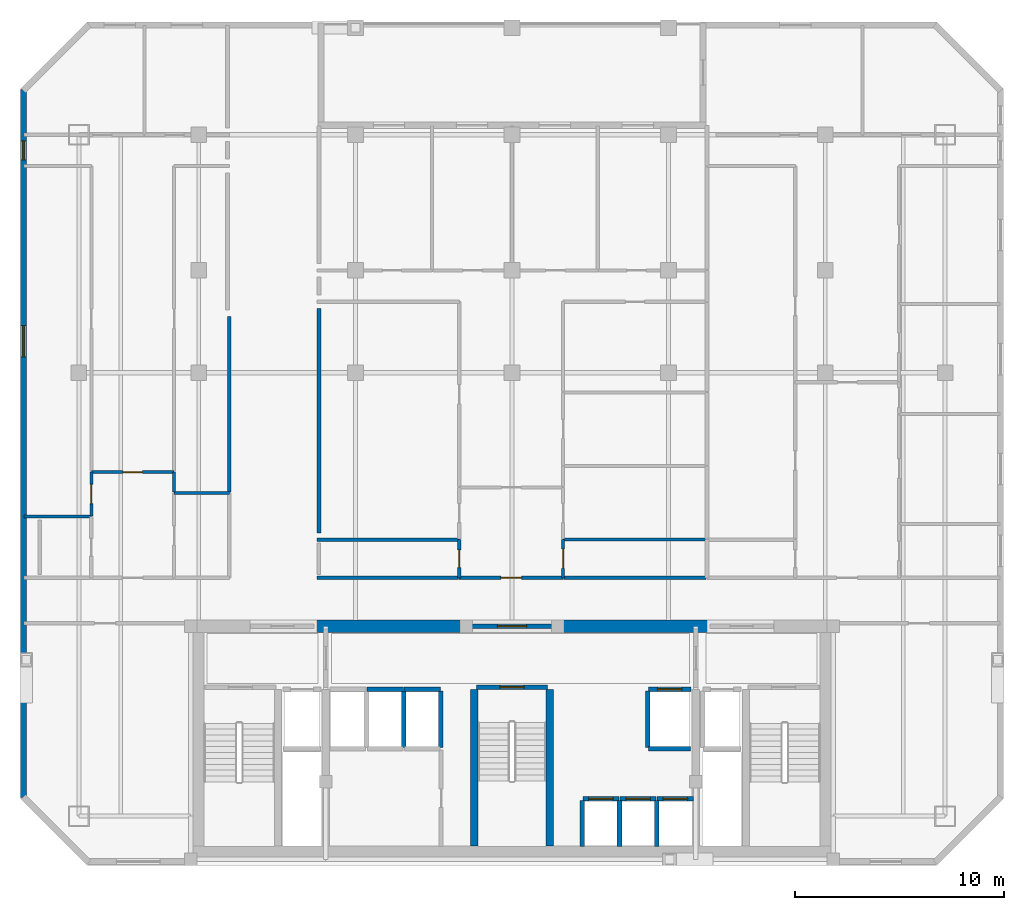
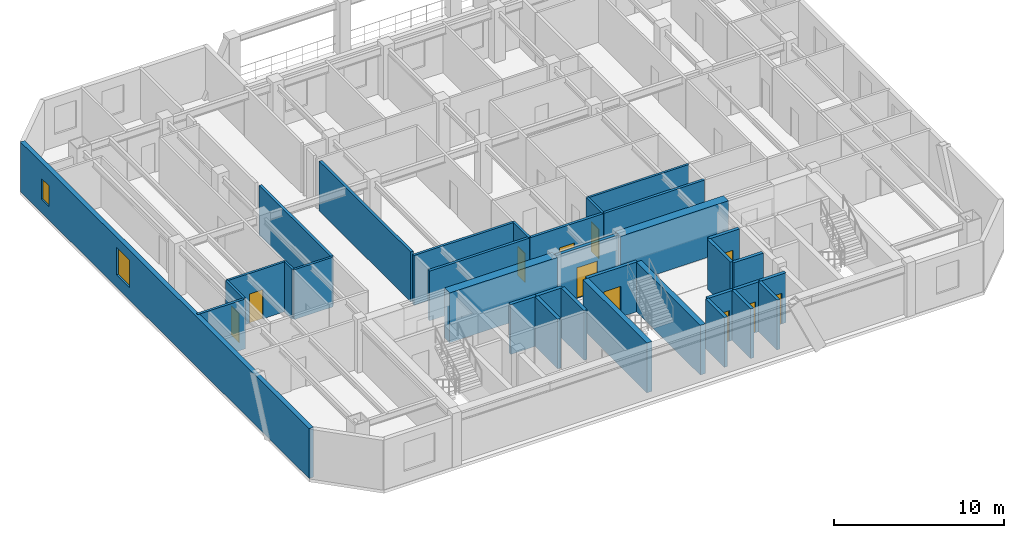
# One storey, part 3 of 8: 34 walls, 11 doors, 2 windows, 13 openings.
"""IFC4 building model written with IfcOpenShell, lengths in metres."""

from ifc_helpers import new_model, si_unit, direction, frame, frame_2d, origin, place, context, subcontext, project, spatial, rectangle, extrude, material, layer, layer_set, type_object, element, fill, save


model = new_model("IFC4")

# Units and contexts
model_context = context("Model", 3, precision=1e-05, world=origin(), true_north=direction((0.0, 1.0)))
body_context = subcontext(model_context, "Body", "Model", "MODEL_VIEW")
ifc_project = project(units=[si_unit("LENGTHUNIT", "METRE"), si_unit("AREAUNIT", "SQUARE_METRE"), si_unit("VOLUMEUNIT", "CUBIC_METRE"), si_unit("PLANEANGLEUNIT", "RADIAN"), si_unit("MASSUNIT", "GRAM", prefix="KILO")], contexts=[model_context])

# Site, building, storey
site_placement = place(None, origin())
site = spatial("IfcSite", under=ifc_project, at=site_placement, CompositionType="ELEMENT")
building_placement = place(site_placement, origin())
building = spatial("IfcBuilding", under=site, at=building_placement, Name="Ventersveld Concourse Tower", CompositionType="ELEMENT")
storey_placement = place(building_placement, frame((0.0, 0.0, 200.300048828125)))
storey = spatial("IfcBuildingStorey", under=building, at=storey_placement, Name="L49", CompositionType="ELEMENT", Elevation=200.300048828125)

# Walls
ifc_material_1 = material(Name="Concrete C50/60", Category="concrete")
ifc_layer_1 = layer(ifc_material_1, 0.35009765625)
ifc_layer_set_1 = layer_set([ifc_layer_1], Name="Concrete C50/60")
wall_type_1 = type_object("IfcWallType", Name="WL-CORE-350U", PredefinedType="SHEAR", material=ifc_layer_set_1)
for number, where, z_axis, x_axis, name in (
    (1, (26.93994140625, 0.919921875, 0.0), (0.0, 0.0, 1.0), (0.0, 1.0, 0.0), "L49 Core Internal Shear Web W-ST3-W"),
    (2, (30.56005859375, 0.919921875, 0.0), (0.0, 0.0, 1.0), (0.0, 1.0, 0.0), "L49 Core Internal Shear Web W-ST3-E"),
):
    element("IfcWall", number, at=place(storey_placement, frame(where, z_axis=z_axis, x_axis=x_axis)), inside=storey, type_object=wall_type_1, Name=name, PredefinedType="SHEAR", context=body_context, shape_type="SweptSolid", body=[
        extrude(rectangle(XDim=7.5, YDim=0.35009765625, at=frame_2d((3.75, 0.0))), origin(), (0.0, 0.0, 1.0), 3.570068359375),
    ])
ifc_layer_2 = layer(ifc_material_1, 0.60009765625)
ifc_layer_set_2 = layer_set([ifc_layer_2], Name="Concrete C50/60")
wall_type_2 = type_object("IfcWallType", Name="WL-CORE-600", PredefinedType="SHEAR", material=ifc_layer_set_2)
for number, where, z_axis, x_axis, name in (
    (3, (19.300048828125, 11.449951171875, 0.0), (0.0, 0.0, 1.0), (1.0, 0.0, 0.0), "L49 Rear Core North Shear Wall NML"),
    (4, (30.89990234375, 11.449951171875, 0.0), (0.0, 0.0, 1.0), (1.0, 0.0, 0.0), "L49 Rear Core North Shear Wall NMR"),
):
    element("IfcWall", number, at=place(storey_placement, frame(where, z_axis=z_axis, x_axis=x_axis)), inside=storey, type_object=wall_type_2, Name=name, PredefinedType="SHEAR", context=body_context, shape_type="SweptSolid", body=[
        extrude(rectangle(XDim=7.300048828125, YDim=0.60009765625, at=frame_2d((3.64990234375, 0.0))), origin(), (0.0, 0.0, 1.0), 3.570068359375),
    ])
ifc_material_2 = material(Name="Fire-rated autoclaved aerated masonry blockwork", Category="masonry")
ifc_layer_3 = layer(ifc_material_2, 0.179931640625)
ifc_layer_set_3 = layer_set([ifc_layer_3], Name="Fire-rated autoclaved aerated masonry blockwork")
wall_type_3 = type_object("IfcWallType", Name="WL-CORR-180", PredefinedType="PARTITIONING", material=ifc_layer_set_3)
wall_1_placement = place(storey_placement, frame((15.2099609375, 17.875732421875, 0.0), z_axis=(0.0, 0.0, 1.0), x_axis=(0.0, 1.0, 0.0)))
element("IfcWall", 5, at=wall_1_placement, inside=storey, type_object=wall_type_3, Name="L49 Interior Partition SP-L49-COR-SP-L49-49NW-DENR", PredefinedType="PARTITIONING", context=body_context, shape_type="SweptSolid", body=[
    extrude(rectangle(XDim=8.419189453125, YDim=0.179931640625, at=frame_2d((4.20947265625, 0.0))), origin(), (0.0, 0.0, 1.0), 3.570068359375),
])

# Wall, opening, door
wall_2_placement = place(storey_placement, frame((26.216552734375, 13.77001953125, 0.0), z_axis=(0.0, 0.0, 1.0), x_axis=(1.0, 0.0, 0.0)))
wall_2 = element("IfcWall", 6, at=wall_2_placement, inside=storey, type_object=wall_type_3, Name="L49 Interior Partition SP-L49-COR-SP-L49-49CM-FOY", PredefinedType="PARTITIONING", context=body_context, shape_type="SweptSolid", body=[
    extrude(rectangle(XDim=4.989990234375, YDim=0.179931640625, at=frame_2d((2.4951171875, 0.0))), origin(), (0.0, 0.0, 1.0), 3.570068359375),
])
opening_1_placement = place(wall_2_placement, frame((1.9951171875, 0.0, 0.0)))
opening_1 = element("IfcOpeningElement", 7, at=opening_1_placement, cuts=wall_2, Name="Opening FD3", PredefinedType="OPENING", context=body_context, shape_type="SweptSolid", body=[
    extrude(rectangle(XDim=1.0, YDim=2.14990234375, at=frame_2d((0.5, 1.074951171875))), frame((0.0, 0.10009765625, 0.0), z_axis=(0.0, -1.0, 0.0), x_axis=(1.0, 0.0, 0.0)), (0.0, 0.0, 1.0), 0.199951171875),
])
ifc_material_3 = material(Name="Solid-core hardwood veneer timber", Category="wood")
door_type_1 = type_object("IfcDoorType", Name="DR-FLAT-100", OperationType="NOTDEFINED", PredefinedType="DOOR", material=ifc_material_3)
door_1_placement = place(opening_1_placement, origin())
door_1 = element("IfcDoor", 8, at=door_1_placement, inside=storey, type_object=door_type_1, Name="L49 Interior Door SP-L49-COR to SP-L49-49CM-FOY (FD-L49-2394)", OperationType="SINGLE_SWING_RIGHT", OverallHeight=2.14990234375, OverallWidth=1.0, PredefinedType="DOOR", context=body_context, shape_type="SweptSolid", body=[
    extrude(rectangle(XDim=1.0, YDim=2.14990234375, at=frame_2d((0.5, 1.074951171875))), frame((0.0, 0.02490234375, 0.0), z_axis=(0.0, -1.0, 0.0), x_axis=(1.0, 0.0, 0.0)), (0.0, 0.0, 1.0), 0.050048828125),
])
fill(opening_1, door_1)

# Walls
wall_3_placement = place(storey_placement, frame((19.405029296875, 13.77001953125, 0.0), z_axis=(0.0, 0.0, 1.0), x_axis=(1.0, 0.0, 0.0)))
element("IfcWall", 9, at=wall_3_placement, inside=storey, type_object=wall_type_3, Name="L49 Interior Partition SP-L49-COR-SP-L49-49CM-BATH", PredefinedType="PARTITIONING", context=body_context, shape_type="SweptSolid", body=[
    extrude(rectangle(XDim=6.781494140625, YDim=0.179931640625, at=frame_2d((3.390625, 0.0))), origin(), (0.0, 0.0, 1.0), 3.570068359375),
])
wall_4_placement = place(storey_placement, frame((31.236572265625, 13.77001953125, 0.0), z_axis=(0.0, 0.0, 1.0), x_axis=(1.0, 0.0, 0.0)))
element("IfcWall", 10, at=wall_4_placement, inside=storey, type_object=wall_type_3, Name="L49 Interior Partition SP-L49-COR-SP-L49-49CM-KIT", PredefinedType="PARTITIONING", context=body_context, shape_type="SweptSolid", body=[
    extrude(rectangle(XDim=6.818359375, YDim=0.179931640625, at=frame_2d((3.4091796875, 0.0))), origin(), (0.0, 0.0, 1.0), 3.570068359375),
])
wall_5_placement = place(storey_placement, frame((19.5, 15.925048828125, 0.0), z_axis=(0.0, 0.0, 1.0), x_axis=(0.0, 1.0, 0.0)))
element("IfcWall", 11, at=wall_5_placement, inside=storey, type_object=wall_type_3, Name="L49 Room Enclosure Wall SP-L49-49CM-DENL", PredefinedType="PARTITIONING", context=body_context, shape_type="SweptSolid", body=[
    extrude(rectangle(XDim=10.75, YDim=0.179931640625, at=frame_2d((5.375, 0.0))), origin(), (0.0, 0.0, 1.0), 3.570068359375),
])
ifc_layer_4 = layer(ifc_material_2, 0.219970703125)
ifc_layer_set_4 = layer_set([ifc_layer_4], Name="Fire-rated autoclaved aerated masonry blockwork")
wall_type_4 = type_object("IfcWallType", Name="WL-HOIST-220", PredefinedType="SOLIDWALL", material=ifc_layer_set_4)
wall_6_placement = place(storey_placement, frame((35.300048828125, 5.590087890625, 0.0), z_axis=(0.0, 0.0, 1.0), x_axis=(1.0, 0.0, 0.0)))
element("IfcWall", 12, at=wall_6_placement, inside=storey, type_object=wall_type_4, Name="L49 Lift Hoistway Back Wall SVL-01", PredefinedType="SOLIDWALL", context=body_context, shape_type="SweptSolid", body=[
    extrude(rectangle(XDim=2.0, YDim=0.219970703125, at=frame_2d((1.0, 0.0))), origin(), (0.0, 0.0, 1.0), 3.570068359375),
])
wall_7_placement = place(storey_placement, frame((35.260009765625, 5.64990234375, 0.0), z_axis=(0.0, 0.0, 1.0), x_axis=(0.0, 1.0, 0.0)))
element("IfcWall", 13, at=wall_7_placement, inside=storey, type_object=wall_type_4, Name="L49 Lift Hoistway Side Wall SVL-01W", PredefinedType="SOLIDWALL", context=body_context, shape_type="SweptSolid", body=[
    extrude(rectangle(XDim=2.7001953125, YDim=0.219970703125, at=frame_2d((1.35009765625, 0.0))), origin(), (0.0, 0.0, 1.0), 3.570068359375),
])

# Wall, opening, door
wall_8_placement = place(storey_placement, frame((35.280029296875, 8.429931640625, 0.0), z_axis=(0.0, 0.0, 1.0), x_axis=(1.0, 0.0, 0.0)))
wall_8 = element("IfcWall", 14, at=wall_8_placement, inside=storey, type_object=wall_type_4, Name="L49 Lift Hoistway Front Wall SVL-01", PredefinedType="SOLIDWALL", context=body_context, shape_type="SweptSolid", body=[
    extrude(rectangle(XDim=2.0400390625, YDim=0.219970703125, at=frame_2d((1.02001953125, 0.0))), origin(), (0.0, 0.0, 1.0), 3.570068359375),
])
opening_2_placement = place(wall_8_placement, frame((0.429931640625, 0.0, 0.0)))
opening_2 = element("IfcOpeningElement", 15, at=opening_2_placement, cuts=wall_8, Name="Opening LD2", PredefinedType="OPENING", context=body_context, shape_type="SweptSolid", body=[
    extrude(rectangle(XDim=1.179931640625, YDim=2.199951171875, at=frame_2d((0.58984375, 1.10009765625))), frame((0.0, 0.1201171875, 0.0), z_axis=(0.0, -1.0, 0.0), x_axis=(1.0, 0.0, 0.0)), (0.0, 0.0, 1.0), 0.239990234375),
])
ifc_material_4 = material(Name="Brushed stainless steel 316", Category="steel")
door_type_2 = type_object("IfcDoorType", Name="LD-PAX-118", OperationType="SLIDING_TO_LEFT", PredefinedType="DOOR", material=ifc_material_4)
door_2_placement = place(opening_2_placement, origin())
door_2 = element("IfcDoor", 16, at=door_2_placement, inside=storey, type_object=door_type_2, Name="L49 Lift landing door SVL-01 (LD-L49-SVL-01)", OperationType="SLIDING_TO_LEFT", OverallHeight=2.199951171875, OverallWidth=1.179931640625, PredefinedType="DOOR", context=body_context, shape_type="SweptSolid", body=[
    extrude(rectangle(XDim=1.179931640625, YDim=2.199951171875, at=frame_2d((0.58984375, 1.10009765625))), frame((0.0, 0.02490234375, 0.0), z_axis=(0.0, -1.0, 0.0), x_axis=(1.0, 0.0, 0.0)), (0.0, 0.0, 1.0), 0.050048828125),
])
fill(opening_2, door_2)

# Walls
for number, where, z_axis, x_axis, name in (
    (17, (32.1201171875, 0.89990234375, 0.0), (0.0, 0.0, 1.0), (0.0, 1.0, 0.0), "L49 Lift Hoistway Side Wall PM-01W"),
    (18, (33.89990234375, 0.89990234375, 0.0), (0.0, 0.0, 1.0), (0.0, 1.0, 0.0), "L49 Lift Hoistway Side Wall PM-01E"),
):
    element("IfcWall", number, at=place(storey_placement, frame(where, z_axis=z_axis, x_axis=x_axis)), inside=storey, type_object=wall_type_4, Name=name, PredefinedType="SOLIDWALL", context=body_context, shape_type="SweptSolid", body=[
        extrude(rectangle(XDim=2.2001953125, YDim=0.219970703125, at=frame_2d((1.10009765625, 0.0))), origin(), (0.0, 0.0, 1.0), 3.570068359375),
    ])

# Wall, opening, door
wall_9_placement = place(storey_placement, frame((32.139892578125, 3.179931640625, 0.0), z_axis=(0.0, 0.0, 1.0), x_axis=(1.0, 0.0, 0.0)))
wall_9 = element("IfcWall", 19, at=wall_9_placement, inside=storey, type_object=wall_type_4, Name="L49 Lift Hoistway Front Wall PM-01", PredefinedType="SOLIDWALL", context=body_context, shape_type="SweptSolid", body=[
    extrude(rectangle(XDim=1.739990234375, YDim=0.219970703125, at=frame_2d((0.8701171875, 0.0))), origin(), (0.0, 0.0, 1.0), 3.570068359375),
])
opening_3_placement = place(wall_9_placement, frame((0.280029296875, 0.0, 0.0)))
opening_3 = element("IfcOpeningElement", 20, at=opening_3_placement, cuts=wall_9, Name="Opening LD2", PredefinedType="OPENING", context=body_context, shape_type="SweptSolid", body=[
    extrude(rectangle(XDim=1.179931640625, YDim=2.199951171875, at=frame_2d((0.58984375, 1.10009765625))), frame((0.0, 0.1201171875, 0.0), z_axis=(0.0, -1.0, 0.0), x_axis=(1.0, 0.0, 0.0)), (0.0, 0.0, 1.0), 0.239990234375),
])
door_3_placement = place(opening_3_placement, origin())
door_3 = element("IfcDoor", 21, at=door_3_placement, inside=storey, type_object=door_type_2, Name="L49 Lift landing door PM-01 (LD-L49-PM-01)", OperationType="SLIDING_TO_RIGHT", OverallHeight=2.199951171875, OverallWidth=1.179931640625, PredefinedType="DOOR", context=body_context, shape_type="SweptSolid", body=[
    extrude(rectangle(XDim=1.179931640625, YDim=2.199951171875, at=frame_2d((0.58984375, 1.10009765625))), frame((0.0, 0.02490234375, 0.0), z_axis=(0.0, -1.0, 0.0), x_axis=(1.0, 0.0, 0.0)), (0.0, 0.0, 1.0), 0.050048828125),
])
fill(opening_3, door_3)

# Wall
wall_10_placement = place(storey_placement, frame((35.679931640625, 0.89990234375, 0.0), z_axis=(0.0, 0.0, 1.0), x_axis=(0.0, 1.0, 0.0)))
element("IfcWall", 22, at=wall_10_placement, inside=storey, type_object=wall_type_4, Name="L49 Lift Hoistway Side Wall PM-02E", PredefinedType="SOLIDWALL", context=body_context, shape_type="SweptSolid", body=[
    extrude(rectangle(XDim=2.2001953125, YDim=0.219970703125, at=frame_2d((1.10009765625, 0.0))), origin(), (0.0, 0.0, 1.0), 3.570068359375),
])

# Wall, opening, door
wall_11_placement = place(storey_placement, frame((33.919921875, 3.179931640625, 0.0), z_axis=(0.0, 0.0, 1.0), x_axis=(1.0, 0.0, 0.0)))
wall_11 = element("IfcWall", 23, at=wall_11_placement, inside=storey, type_object=wall_type_4, Name="L49 Lift Hoistway Front Wall PM-02", PredefinedType="SOLIDWALL", context=body_context, shape_type="SweptSolid", body=[
    extrude(rectangle(XDim=1.739990234375, YDim=0.219970703125, at=frame_2d((0.8701171875, 0.0))), origin(), (0.0, 0.0, 1.0), 3.570068359375),
])
opening_4_placement = place(wall_11_placement, frame((0.280029296875, 0.0, 0.0)))
opening_4 = element("IfcOpeningElement", 24, at=opening_4_placement, cuts=wall_11, Name="Opening LD2", PredefinedType="OPENING", context=body_context, shape_type="SweptSolid", body=[
    extrude(rectangle(XDim=1.179931640625, YDim=2.199951171875, at=frame_2d((0.58984375, 1.10009765625))), frame((0.0, 0.1201171875, 0.0), z_axis=(0.0, -1.0, 0.0), x_axis=(1.0, 0.0, 0.0)), (0.0, 0.0, 1.0), 0.239990234375),
])
door_4_placement = place(opening_4_placement, origin())
door_4 = element("IfcDoor", 25, at=door_4_placement, inside=storey, type_object=door_type_2, Name="L49 Lift landing door PM-02 (LD-L49-PM-02)", OperationType="SLIDING_TO_LEFT", OverallHeight=2.199951171875, OverallWidth=1.179931640625, PredefinedType="DOOR", context=body_context, shape_type="SweptSolid", body=[
    extrude(rectangle(XDim=1.179931640625, YDim=2.199951171875, at=frame_2d((0.58984375, 1.10009765625))), frame((0.0, 0.02490234375, 0.0), z_axis=(0.0, -1.0, 0.0), x_axis=(1.0, 0.0, 0.0)), (0.0, 0.0, 1.0), 0.050048828125),
])
fill(opening_4, door_4)

wall_12_placement = place(storey_placement, frame((35.699951171875, 3.179931640625, 0.0), z_axis=(0.0, 0.0, 1.0), x_axis=(1.0, 0.0, 0.0)))
wall_12 = element("IfcWall", 26, at=wall_12_placement, inside=storey, type_object=wall_type_4, Name="L49 Lift Hoistway Front Wall PM-03", PredefinedType="SOLIDWALL", context=body_context, shape_type="SweptSolid", body=[
    extrude(rectangle(XDim=1.739990234375, YDim=0.219970703125, at=frame_2d((0.8701171875, 0.0))), origin(), (0.0, 0.0, 1.0), 3.570068359375),
])
opening_5_placement = place(wall_12_placement, frame((0.280029296875, 0.0, 0.0)))
opening_5 = element("IfcOpeningElement", 27, at=opening_5_placement, cuts=wall_12, Name="Opening LD2", PredefinedType="OPENING", context=body_context, shape_type="SweptSolid", body=[
    extrude(rectangle(XDim=1.179931640625, YDim=2.199951171875, at=frame_2d((0.58984375, 1.10009765625))), frame((0.0, 0.1201171875, 0.0), z_axis=(0.0, -1.0, 0.0), x_axis=(1.0, 0.0, 0.0)), (0.0, 0.0, 1.0), 0.239990234375),
])
door_5_placement = place(opening_5_placement, origin())
door_5 = element("IfcDoor", 28, at=door_5_placement, inside=storey, type_object=door_type_2, Name="L49 Lift landing door PM-03 (LD-L49-PM-03)", OperationType="SLIDING_TO_RIGHT", OverallHeight=2.199951171875, OverallWidth=1.179931640625, PredefinedType="DOOR", context=body_context, shape_type="SweptSolid", body=[
    extrude(rectangle(XDim=1.179931640625, YDim=2.199951171875, at=frame_2d((0.58984375, 1.10009765625))), frame((0.0, 0.02490234375, 0.0), z_axis=(0.0, -1.0, 0.0), x_axis=(1.0, 0.0, 0.0)), (0.0, 0.0, 1.0), 0.050048828125),
])
fill(opening_5, door_5)

# Walls
wall_13_placement = place(storey_placement, frame((23.56005859375, 5.64990234375, 0.0), z_axis=(0.0, 0.0, 1.0), x_axis=(0.0, 1.0, 0.0)))
element("IfcWall", 29, at=wall_13_placement, inside=storey, type_object=wall_type_4, Name="L49 Lift Hoistway Side Wall PH-02E", PredefinedType="SOLIDWALL", context=body_context, shape_type="SweptSolid", body=[
    extrude(rectangle(XDim=2.7001953125, YDim=0.219970703125, at=frame_2d((1.35009765625, 0.0))), origin(), (0.0, 0.0, 1.0), 3.570068359375),
])
wall_14_placement = place(storey_placement, frame((21.800048828125, 8.429931640625, 0.0), z_axis=(0.0, 0.0, 1.0), x_axis=(1.0, 0.0, 0.0)))
element("IfcWall", 30, at=wall_14_placement, inside=storey, type_object=wall_type_4, Name="L49 Lift Hoistway Front Wall PH-02", PredefinedType="SOLIDWALL", context=body_context, shape_type="SweptSolid", body=[
    extrude(rectangle(XDim=1.739990234375, YDim=0.219970703125, at=frame_2d((0.8701171875, 0.0))), origin(), (0.0, 0.0, 1.0), 3.570068359375),
])
wall_15_placement = place(storey_placement, frame((25.340087890625, 5.64990234375, 0.0), z_axis=(0.0, 0.0, 1.0), x_axis=(0.0, 1.0, 0.0)))
element("IfcWall", 31, at=wall_15_placement, inside=storey, type_object=wall_type_4, Name="L49 Lift Hoistway Side Wall PH-03E", PredefinedType="SOLIDWALL", context=body_context, shape_type="SweptSolid", body=[
    extrude(rectangle(XDim=2.7001953125, YDim=0.219970703125, at=frame_2d((1.35009765625, 0.0))), origin(), (0.0, 0.0, 1.0), 3.570068359375),
])
wall_16_placement = place(storey_placement, frame((23.580078125, 8.429931640625, 0.0), z_axis=(0.0, 0.0, 1.0), x_axis=(1.0, 0.0, 0.0)))
element("IfcWall", 32, at=wall_16_placement, inside=storey, type_object=wall_type_4, Name="L49 Lift Hoistway Front Wall PH-03", PredefinedType="SOLIDWALL", context=body_context, shape_type="SweptSolid", body=[
    extrude(rectangle(XDim=1.739990234375, YDim=0.219970703125, at=frame_2d((0.8701171875, 0.0))), origin(), (0.0, 0.0, 1.0), 3.570068359375),
])

# Wall, opening, door
wall_17_placement = place(storey_placement, frame((27.0400390625, 8.52001953125, 0.0), z_axis=(0.0, 0.0, 1.0), x_axis=(1.0, 0.0, 0.0)))
wall_17 = element("IfcWall", 33, at=wall_17_placement, inside=storey, type_object=wall_type_4, Name="L49 Escape Stair ST03 Fire Wall", PredefinedType="SOLIDWALL", context=body_context, shape_type="SweptSolid", body=[
    extrude(rectangle(XDim=3.419921875, YDim=0.219970703125, at=frame_2d((1.7099609375, 0.0))), origin(), (0.0, 0.0, 1.0), 3.570068359375),
])
opening_6_placement = place(wall_17_placement, frame((1.135009765625, 0.0, 0.0)))
opening_6 = element("IfcOpeningElement", 34, at=opening_6_placement, cuts=wall_17, Name="Opening FD1", PredefinedType="OPENING", context=body_context, shape_type="SweptSolid", body=[
    extrude(rectangle(XDim=1.14990234375, YDim=2.199951171875, at=frame_2d((0.574951171875, 1.10009765625))), frame((0.0, 0.1201171875, 0.0), z_axis=(0.0, -1.0, 0.0), x_axis=(1.0, 0.0, 0.0)), (0.0, 0.0, 1.0), 0.239990234375),
])
ifc_material_5 = material(Name="Galvanised painted steel", Category="steel")
door_type_3 = type_object("IfcDoorType", Name="DR-STAIR-115", OperationType="NOTDEFINED", PredefinedType="DOOR", material=ifc_material_5)
door_6_placement = place(opening_6_placement, origin())
door_6 = element("IfcDoor", 35, at=door_6_placement, inside=storey, type_object=door_type_3, Name="L49 Escape Stair Door ST03 (SD-L49-2383)", OperationType="SINGLE_SWING_LEFT", OverallHeight=2.199951171875, OverallWidth=1.14990234375, PredefinedType="DOOR", context=body_context, shape_type="SweptSolid", body=[
    extrude(rectangle(XDim=1.14990234375, YDim=2.199951171875, at=frame_2d((0.574951171875, 1.10009765625))), frame((0.0, 0.02490234375, 0.0), z_axis=(0.0, -1.0, 0.0), x_axis=(1.0, 0.0, 0.0)), (0.0, 0.0, 1.0), 0.050048828125),
])
fill(opening_6, door_6)

wall_18_placement = place(storey_placement, frame((26.6298828125, 11.449951171875, 0.0), z_axis=(0.0, 0.0, 1.0), x_axis=(1.0, 0.0, 0.0)))
wall_18 = element("IfcWall", 36, at=wall_18_placement, inside=storey, type_object=wall_type_4, Name="L49 Core North Fire Portal PLOB-OUT", PredefinedType="SOLIDWALL", context=body_context, shape_type="SweptSolid", body=[
    extrude(rectangle(XDim=4.240234375, YDim=0.219970703125, at=frame_2d((2.1201171875, 0.0))), origin(), (0.0, 0.0, 1.0), 3.570068359375),
])
opening_7_placement = place(wall_18_placement, frame((1.419921875, 0.0, 0.0)))
opening_7 = element("IfcOpeningElement", 37, at=opening_7_placement, cuts=wall_18, Name="Opening FD4", PredefinedType="OPENING", context=body_context, shape_type="SweptSolid", body=[
    extrude(rectangle(XDim=1.39990234375, YDim=2.199951171875, at=frame_2d((0.699951171875, 1.10009765625))), frame((0.0, 0.1201171875, 0.0), z_axis=(0.0, -1.0, 0.0), x_axis=(1.0, 0.0, 0.0)), (0.0, 0.0, 1.0), 0.239990234375),
])
door_type_4 = type_object("IfcDoorType", Name="DR-PLANT-140", OperationType="DOUBLE_DOOR_SINGLE_SWING", PredefinedType="DOOR", material=ifc_material_5)
door_7_placement = place(opening_7_placement, origin())
door_7 = element("IfcDoor", 38, at=door_7_placement, inside=storey, type_object=door_type_4, Name="L49 Core Lobby Fire Door PLOB-OUT (FD-L49-2387)", OperationType="DOUBLE_DOOR_SINGLE_SWING", OverallHeight=2.199951171875, OverallWidth=1.39990234375, PredefinedType="DOOR", context=body_context, shape_type="SweptSolid", body=[
    extrude(rectangle(XDim=1.39990234375, YDim=2.199951171875, at=frame_2d((0.699951171875, 1.10009765625))), frame((0.0, 0.02490234375, 0.0), z_axis=(0.0, -1.0, 0.0), x_axis=(1.0, 0.0, 0.0)), (0.0, 0.0, 1.0), 0.050048828125),
])
fill(opening_7, door_7)

ifc_material_6 = material(Name="Autoclaved aerated masonry blockwork", Category="masonry")
ifc_layer_5 = layer(ifc_material_6, 0.14990234375)
ifc_layer_set_5 = layer_set([ifc_layer_5], Name="Autoclaved aerated masonry blockwork")
wall_type_5 = type_object("IfcWallType", Name="WL-INT-150", PredefinedType="PARTITIONING", material=ifc_layer_set_5)
wall_19_placement = place(storey_placement, frame((8.59765625, 18.83349609375, 0.0), z_axis=(0.0, 0.0, 1.0), x_axis=(1.0, 0.0, 0.0)))
wall_19 = element("IfcWall", 39, at=wall_19_placement, inside=storey, type_object=wall_type_5, Name="L49 Interior Partition SP-L49-49NW-FOY-SP-L49-49NW-LIV", PredefinedType="PARTITIONING", context=body_context, shape_type="SweptSolid", body=[
    extrude(rectangle(XDim=3.969970703125, YDim=0.14990234375, at=frame_2d((1.98486328125, 0.0))), origin(), (0.0, 0.0, 1.0), 3.570068359375),
])
opening_8_placement = place(wall_19_placement, frame((1.52490234375, 0.0, 0.0)))
opening_8 = element("IfcOpeningElement", 40, at=opening_8_placement, cuts=wall_19, Name="Opening ID1", PredefinedType="OPENING", context=body_context, shape_type="SweptSolid", body=[
    extrude(rectangle(XDim=0.919921875, YDim=2.10009765625, at=frame_2d((0.4599609375, 1.050048828125))), frame((0.0, 0.0849609375, 0.0), z_axis=(0.0, -1.0, 0.0), x_axis=(1.0, 0.0, 0.0)), (0.0, 0.0, 1.0), 0.169921875),
])
door_type_5 = type_object("IfcDoorType", Name="DR-ROOM-092", OperationType="NOTDEFINED", PredefinedType="DOOR", material=ifc_material_3)
door_8_placement = place(opening_8_placement, origin())
door_8 = element("IfcDoor", 41, at=door_8_placement, inside=storey, type_object=door_type_5, Name="L49 Interior Door SP-L49-49NW-FOY to SP-L49-49NW-LIV (D-L49-2395)", OperationType="SINGLE_SWING_LEFT", OverallHeight=2.10009765625, OverallWidth=0.919921875, PredefinedType="DOOR", context=body_context, shape_type="SweptSolid", body=[
    extrude(rectangle(XDim=0.919921875, YDim=2.10009765625, at=frame_2d((0.4599609375, 1.050048828125))), frame((0.0, 0.02490234375, 0.0), z_axis=(0.0, -1.0, 0.0), x_axis=(1.0, 0.0, 0.0)), (0.0, 0.0, 1.0), 0.050048828125),
])
fill(opening_8, door_8)

wall_20_placement = place(storey_placement, frame((8.6025390625, 16.743408203125, 0.0), z_axis=(0.0, 0.0, 1.0), x_axis=(0.0, 1.0, 0.0)))
wall_20 = element("IfcWall", 42, at=wall_20_placement, inside=storey, type_object=wall_type_5, Name="L49 Interior Partition SP-L49-49NW-FOY-SP-L49-49NW-SEML0", PredefinedType="PARTITIONING", context=body_context, shape_type="SweptSolid", body=[
    extrude(rectangle(XDim=2.094970703125, YDim=0.14990234375, at=frame_2d((1.04736328125, 0.0))), origin(), (0.0, 0.0, 1.0), 3.570068359375),
])
opening_9_placement = place(wall_20_placement, frame((0.58740234375, 0.0, 0.0)))
opening_9 = element("IfcOpeningElement", 43, at=opening_9_placement, cuts=wall_20, Name="Opening ID1", PredefinedType="OPENING", context=body_context, shape_type="SweptSolid", body=[
    extrude(rectangle(XDim=0.919921875, YDim=2.10009765625, at=frame_2d((0.4599609375, 1.050048828125))), frame((0.0, 0.0849609375, 0.0), z_axis=(0.0, -1.0, 0.0), x_axis=(1.0, 0.0, 0.0)), (0.0, 0.0, 1.0), 0.169921875),
])
door_9_placement = place(opening_9_placement, origin())
door_9 = element("IfcDoor", 44, at=door_9_placement, inside=storey, type_object=door_type_5, Name="L49 Interior Door SP-L49-49NW-FOY to SP-L49-49NW-SEML0 (D-L49-2397)", OperationType="SINGLE_SWING_LEFT", OverallHeight=2.10009765625, OverallWidth=0.919921875, PredefinedType="DOOR", context=body_context, shape_type="SweptSolid", body=[
    extrude(rectangle(XDim=0.919921875, YDim=2.10009765625, at=frame_2d((0.4599609375, 1.050048828125))), frame((0.0, 0.02490234375, 0.0), z_axis=(0.0, -1.0, 0.0), x_axis=(1.0, 0.0, 0.0)), (0.0, 0.0, 1.0), 0.050048828125),
])
fill(opening_9, door_9)

# Walls
wall_21_placement = place(storey_placement, frame((12.5625, 17.875732421875, 0.0), z_axis=(0.0, 0.0, 1.0), x_axis=(0.0, 1.0, 0.0)))
element("IfcWall", 45, at=wall_21_placement, inside=storey, type_object=wall_type_5, Name="L49 Interior Partition SP-L49-49NW-FOY-SP-L49-49NW-DENR", PredefinedType="PARTITIONING", context=body_context, shape_type="SweptSolid", body=[
    extrude(rectangle(XDim=0.962646484375, YDim=0.14990234375, at=frame_2d((0.4814453125, 0.0))), origin(), (0.0, 0.0, 1.0), 3.570068359375),
])
wall_22_placement = place(storey_placement, frame((12.5576171875, 17.8408203125, 0.0), z_axis=(0.0, 0.0, 1.0), x_axis=(1.0, 0.0, 0.0)))
element("IfcWall", 46, at=wall_22_placement, inside=storey, type_object=wall_type_5, Name="L49 Interior Partition SP-L49-49NW-KIT-SP-L49-49NW-DENR", PredefinedType="PARTITIONING", context=body_context, shape_type="SweptSolid", body=[
    extrude(rectangle(XDim=2.657470703125, YDim=0.14990234375, at=frame_2d((1.32861328125, 0.0))), origin(), (0.0, 0.0, 1.0), 3.570068359375),
])

# Wall, opening, door
wall_23_placement = place(storey_placement, frame((31.201416015625, 13.764892578125, 0.0), z_axis=(0.0, 0.0, 1.0), x_axis=(0.0, 1.0, 0.0)))
wall_23 = element("IfcWall", 47, at=wall_23_placement, inside=storey, type_object=wall_type_5, Name="L49 Interior Partition SP-L49-49CM-FOY-SP-L49-49CM-KIT", PredefinedType="PARTITIONING", context=body_context, shape_type="SweptSolid", body=[
    extrude(rectangle(XDim=1.840087890625, YDim=0.14990234375, at=frame_2d((0.919921875, 0.0))), origin(), (0.0, 0.0, 1.0), 3.570068359375),
])
opening_10_placement = place(wall_23_placement, frame((0.4599609375, 0.0, 0.0)))
opening_10 = element("IfcOpeningElement", 48, at=opening_10_placement, cuts=wall_23, Name="Opening ID1", PredefinedType="OPENING", context=body_context, shape_type="SweptSolid", body=[
    extrude(rectangle(XDim=0.919921875, YDim=2.10009765625, at=frame_2d((0.4599609375, 1.050048828125))), frame((0.0, 0.0849609375, 0.0), z_axis=(0.0, -1.0, 0.0), x_axis=(1.0, 0.0, 0.0)), (0.0, 0.0, 1.0), 0.169921875),
])
door_10_placement = place(opening_10_placement, origin())
door_10 = element("IfcDoor", 49, at=door_10_placement, inside=storey, type_object=door_type_5, Name="L49 Interior Door SP-L49-49CM-FOY to SP-L49-49CM-KIT (D-L49-2417)", OperationType="SINGLE_SWING_LEFT", OverallHeight=2.10009765625, OverallWidth=0.919921875, PredefinedType="DOOR", context=body_context, shape_type="SweptSolid", body=[
    extrude(rectangle(XDim=0.919921875, YDim=2.10009765625, at=frame_2d((0.4599609375, 1.050048828125))), frame((0.0, 0.02490234375, 0.0), z_axis=(0.0, -1.0, 0.0), x_axis=(1.0, 0.0, 0.0)), (0.0, 0.0, 1.0), 0.050048828125),
])
fill(opening_10, door_10)

# Wall
wall_24_placement = place(storey_placement, frame((31.196533203125, 15.60009765625, 0.0), z_axis=(0.0, 0.0, 1.0), x_axis=(1.0, 0.0, 0.0)))
element("IfcWall", 50, at=wall_24_placement, inside=storey, type_object=wall_type_5, Name="L49 Interior Partition SP-L49-49CM-KIT-SP-L49-49CM-DENR", PredefinedType="PARTITIONING", context=body_context, shape_type="SweptSolid", body=[
    extrude(rectangle(XDim=6.8583984375, YDim=0.14990234375, at=frame_2d((3.42919921875, 0.0))), origin(), (0.0, 0.0, 1.0), 3.570068359375),
])

# Wall, openings, windows
ifc_material_7 = material(Name="Precast concrete C45/55", Category="concrete")
ifc_layer_6 = layer(ifc_material_7, 0.300048828125)
ifc_layer_set_6 = layer_set([ifc_layer_6], Name="Precast concrete C45/55")
wall_type_6 = type_object("IfcWallType", Name="WL-PREC-300", PredefinedType="SOLIDWALL", material=ifc_layer_set_6)
wall_25_placement = place(storey_placement, frame((5.35009765625, 37.159912109375, 0.0), z_axis=(0.0, 0.0, 1.0), x_axis=(0.0, -1.0, 0.0)))
wall_25 = element("IfcWall", 51, at=wall_25_placement, inside=storey, type_object=wall_type_6, Name="L49 Highveld Precast Facade Wall E11", PredefinedType="SOLIDWALL", context=body_context, shape_type="SweptSolid", body=[
    extrude(rectangle(XDim=33.919921875, YDim=0.300048828125, at=frame_2d((16.9599609375, 0.0))), origin(), (0.0, 0.0, 1.0), 3.570068359375),
])
opening_11_placement = place(wall_25_placement, frame((2.4599609375, 0.0, 0.949951171875)))
opening_11 = element("IfcOpeningElement", 52, at=opening_11_placement, cuts=wall_25, Name="Opening W4", PredefinedType="OPENING", context=body_context, shape_type="SweptSolid", body=[
    extrude(rectangle(XDim=0.89990234375, YDim=1.5, at=frame_2d((0.449951171875, 0.75))), frame((0.0, 0.16015625, 0.0), z_axis=(0.0, -1.0, 0.0), x_axis=(1.0, 0.0, 0.0)), (0.0, 0.0, 1.0), 0.320068359375),
])
opening_12_placement = place(wall_25_placement, frame((11.3056640625, 0.0, 0.89990234375)))
opening_12 = element("IfcOpeningElement", 53, at=opening_12_placement, cuts=wall_25, Name="Opening W1", PredefinedType="OPENING", context=body_context, shape_type="SweptSolid", body=[
    extrude(rectangle(XDim=1.5, YDim=1.949951171875, at=frame_2d((0.75, 0.97509765625))), frame((0.0, 0.16015625, 0.0), z_axis=(0.0, -1.0, 0.0), x_axis=(1.0, 0.0, 0.0)), (0.0, 0.0, 1.0), 0.320068359375),
])
ifc_material_8 = material(Name="Tempered acoustic Low-E IGU", Category="glass")
window_type_1 = type_object("IfcWindowType", Name="WIN-090x150", PartitioningType="SINGLE_PANEL", PredefinedType="WINDOW", material=ifc_material_8)
window_1_placement = place(opening_11_placement, origin())
window_1 = element("IfcWindow", 54, at=window_1_placement, inside=storey, type_object=window_type_1, Name="L49 Punched Low-E Window W-0688", OverallHeight=1.5, OverallWidth=0.89990234375, PartitioningType="SINGLE_PANEL", PredefinedType="WINDOW", context=body_context, shape_type="SweptSolid", body=[
    extrude(rectangle(XDim=0.89990234375, YDim=1.5, at=frame_2d((0.449951171875, 0.75))), frame((0.0, 0.030029296875, 0.0), z_axis=(0.0, -1.0, 0.0), x_axis=(1.0, 0.0, 0.0)), (0.0, 0.0, 1.0), 0.06005859375),
])
fill(opening_11, window_1)
window_type_2 = type_object("IfcWindowType", Name="WIN-150x210", PartitioningType="SINGLE_PANEL", PredefinedType="WINDOW", material=ifc_material_8)
window_2_placement = place(opening_12_placement, origin())
window_2 = element("IfcWindow", 55, at=window_2_placement, inside=storey, type_object=window_type_2, Name="L49 Punched Low-E Window W-0689", OverallHeight=1.949951171875, OverallWidth=1.5, PartitioningType="SINGLE_PANEL", PredefinedType="WINDOW", context=body_context, shape_type="SweptSolid", body=[
    extrude(rectangle(XDim=1.5, YDim=1.949951171875, at=frame_2d((0.75, 0.97509765625))), frame((0.0, 0.030029296875, 0.0), z_axis=(0.0, -1.0, 0.0), x_axis=(1.0, 0.0, 0.0)), (0.0, 0.0, 1.0), 0.06005859375),
])
fill(opening_12, window_2)

# Wall
ifc_layer_7 = layer(ifc_material_6, 0.1650390625)
ifc_layer_set_7 = layer_set([ifc_layer_7], Name="Autoclaved aerated masonry blockwork")
wall_type_7 = type_object("IfcWallType", Name="WL-WET-165", PredefinedType="PLUMBINGWALL", material=ifc_layer_set_7)
wall_26_placement = place(storey_placement, frame((5.37255859375, 16.70849609375, 0.0), z_axis=(0.0, 0.0, 1.0), x_axis=(1.0, 0.0, 0.0)))
element("IfcWall", 56, at=wall_26_placement, inside=storey, type_object=wall_type_7, Name="L49 Interior Partition SP-L49-49NW-BATH-SP-L49-49NW-SEML0", PredefinedType="PLUMBINGWALL", context=body_context, shape_type="SweptSolid", body=[
    extrude(rectangle(XDim=3.235107421875, YDim=0.1650390625, at=frame_2d((1.61767578125, 0.0))), origin(), (0.0, 0.0, 1.0), 3.570068359375),
])

# Wall, opening, door
wall_27_placement = place(storey_placement, frame((26.221435546875, 13.764892578125, 0.0), z_axis=(0.0, 0.0, 1.0), x_axis=(0.0, 1.0, 0.0)))
wall_27 = element("IfcWall", 57, at=wall_27_placement, inside=storey, type_object=wall_type_7, Name="L49 Interior Partition SP-L49-49CM-FOY-SP-L49-49CM-BATH", PredefinedType="PLUMBINGWALL", context=body_context, shape_type="SweptSolid", body=[
    extrude(rectangle(XDim=1.840087890625, YDim=0.1650390625, at=frame_2d((0.919921875, 0.0))), origin(), (0.0, 0.0, 1.0), 3.570068359375),
])
opening_13_placement = place(wall_27_placement, frame((0.4951171875, 0.0, 0.0)))
opening_13 = element("IfcOpeningElement", 58, at=opening_13_placement, cuts=wall_27, Name="Opening ID2", PredefinedType="OPENING", context=body_context, shape_type="SweptSolid", body=[
    extrude(rectangle(XDim=0.85009765625, YDim=2.10009765625, at=frame_2d((0.425048828125, 1.050048828125))), frame((0.0, 0.092529296875, 0.0), z_axis=(0.0, -1.0, 0.0), x_axis=(1.0, 0.0, 0.0)), (0.0, 0.0, 1.0), 0.18505859375),
])
door_type_6 = type_object("IfcDoorType", Name="DR-BATH-085", OperationType="NOTDEFINED", PredefinedType="DOOR", material=ifc_material_3)
door_11_placement = place(opening_13_placement, origin())
door_11 = element("IfcDoor", 59, at=door_11_placement, inside=storey, type_object=door_type_6, Name="L49 Interior Door SP-L49-49CM-FOY to SP-L49-49CM-BATH (D-L49-2415)", OperationType="SINGLE_SWING_LEFT", OverallHeight=2.10009765625, OverallWidth=0.85009765625, PredefinedType="DOOR", context=body_context, shape_type="SweptSolid", body=[
    extrude(rectangle(XDim=0.85009765625, YDim=2.10009765625, at=frame_2d((0.425048828125, 1.050048828125))), frame((0.0, 0.02490234375, 0.0), z_axis=(0.0, -1.0, 0.0), x_axis=(1.0, 0.0, 0.0)), (0.0, 0.0, 1.0), 0.050048828125),
])
fill(opening_13, door_11)

# Wall
wall_28_placement = place(storey_placement, frame((19.405029296875, 15.60009765625, 0.0), z_axis=(0.0, 0.0, 1.0), x_axis=(1.0, 0.0, 0.0)))
element("IfcWall", 60, at=wall_28_placement, inside=storey, type_object=wall_type_7, Name="L49 Interior Partition SP-L49-49CM-BATH-SP-L49-49CM-DENL", PredefinedType="PLUMBINGWALL", context=body_context, shape_type="SweptSolid", body=[
    extrude(rectangle(XDim=6.821533203125, YDim=0.1650390625, at=frame_2d((3.41064453125, 0.0))), origin(), (0.0, 0.0, 1.0), 3.570068359375),
])

save(model, "model.ifc")
